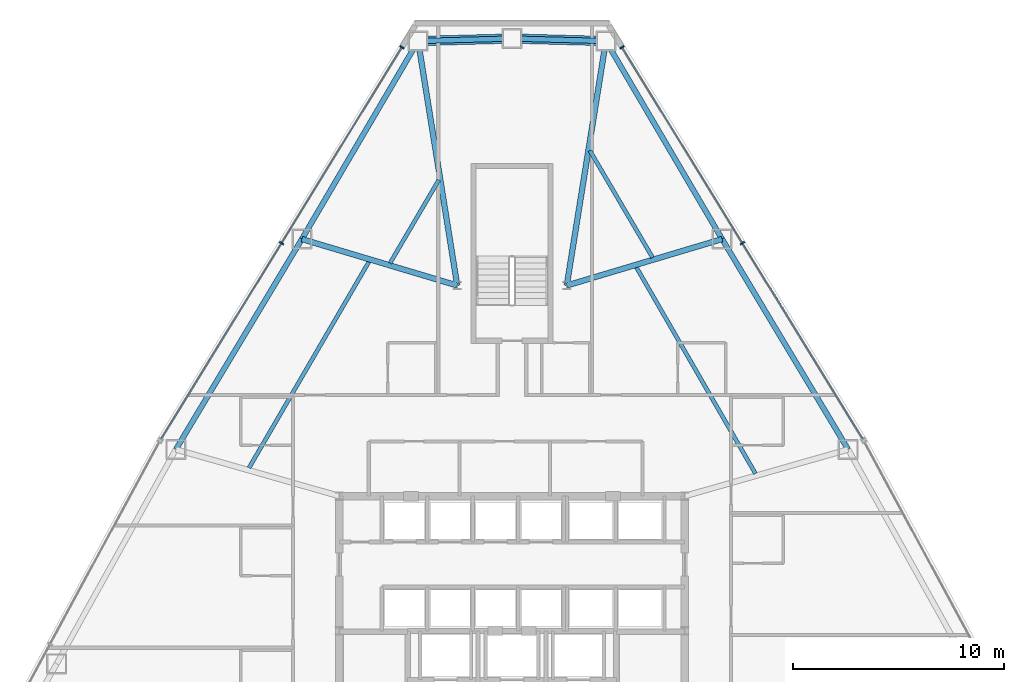
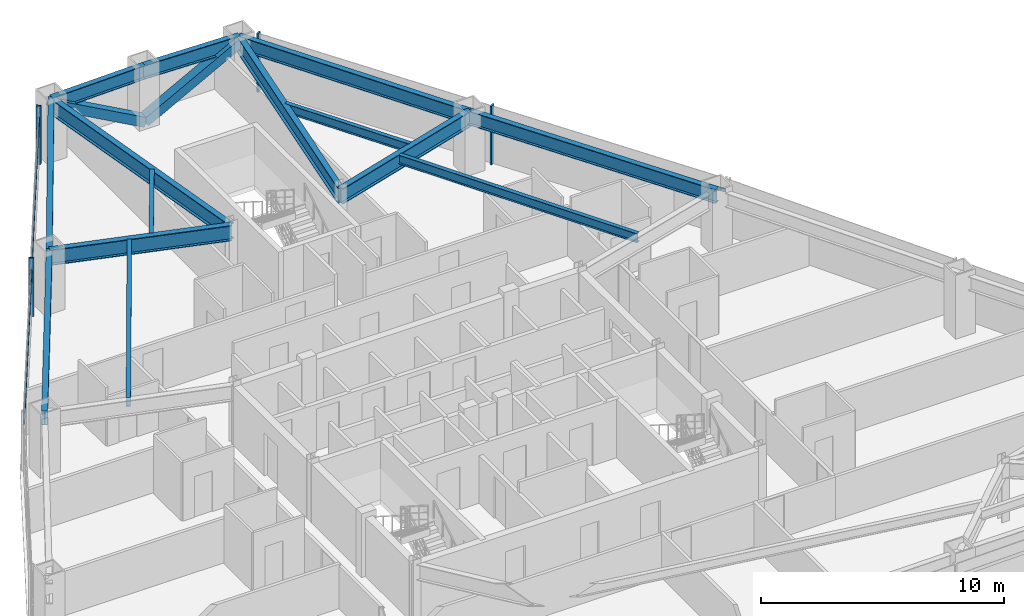
# One storey, part 7 of 13: 14 beams, 8 members, 2 elements without a shape of their own.
"""IFC4 building model written with IfcOpenShell, lengths in metres."""

from ifc_helpers import new_model, si_unit, direction, frame, origin, origin_2d, place, context, subcontext, project, spatial, rectangle, hollow_rectangle, i_section, extrude, source, transform, mapped, material, layer, layer_set, material_profile, profile_set, type_object, type_shapes, element, aggregate, save


model = new_model("IFC4")

# Units and contexts
model_context = context("Model", 3, precision=1e-05, world=origin(), true_north=direction((0.0, 1.0)))
body_context = subcontext(model_context, "Body", "Model", "MODEL_VIEW")
ifc_project = project(units=[si_unit("LENGTHUNIT", "METRE"), si_unit("AREAUNIT", "SQUARE_METRE"), si_unit("VOLUMEUNIT", "CUBIC_METRE"), si_unit("PLANEANGLEUNIT", "RADIAN"), si_unit("MASSUNIT", "GRAM", prefix="KILO")], contexts=[model_context])

# Site, building, storey
site_placement = place(None, origin())
site = spatial("IfcSite", under=ifc_project, at=site_placement, CompositionType="ELEMENT")
building_placement = place(site_placement, origin())
building = spatial("IfcBuilding", under=site, at=building_placement, Name="Varakhsha Concourse Tower", CompositionType="ELEMENT")
storey_placement = place(building_placement, frame((0.0, 0.0, 108.60009765625)))
storey = spatial("IfcBuildingStorey", under=building, at=storey_placement, Name="L31", CompositionType="ELEMENT", Elevation=108.60009765625)

# Beams
ifc_material_1 = material(Name="Structural Steel ASTM A992 Grade 50", Category="steel")
ifc_material_profile_1 = material_profile(ifc_material_1, i_section(OverallWidth=0.26611328125, OverallDepth=0.779052734375, WebThickness=0.01708984375, FlangeThickness=0.030029296875, at=origin_2d()), Name="W30X148")
ifc_profile_set_1 = profile_set([ifc_material_profile_1], Name="Structural Steel ASTM A992 Grade 50")
beam_type_1 = type_object("IfcBeamType", Name="BM-BASE-W30X148", PredefinedType="USERDEFINED", material=ifc_profile_set_1)
for number, where, z_axis, x_axis, name in (
    (1, (42.60009765625, 41.199951171875, 2.55029296875), (0.158084457656, 0.987425594284, 0.0), (-0.987425594284, 0.158084457656, 0.0), "L31 Radial Floor Girder 01"),
    (2, (37.39990234375, 41.199951171875, 2.55029296875), (-0.158084457656, 0.987425594284, 0.0), (-0.987425594284, -0.158084457656, 0.0), "L31 Radial Floor Girder 03"),
):
    element("IfcBeam", number, at=place(storey_placement, frame(where, z_axis=z_axis, x_axis=x_axis)), inside=storey, type_object=beam_type_1, Name=name, ObjectType="GIRDER", PredefinedType="USERDEFINED", context=body_context, shape_type="SweptSolid", body=[
        extrude(i_section(OverallWidth=0.26611328125, OverallDepth=0.779052734375, WebThickness=0.01708984375, FlangeThickness=0.030029296875, at=origin_2d()), origin(), (0.0, 0.0, 1.0), 11.755615234375),
    ])
for number, where, z_axis, x_axis, name in (
    (3, (37.39990234375, 41.199951171875, 2.55029296875), (-0.958150359445, 0.286265416519, 0.0), (-0.286265416519, -0.958150359445, 0.0), "L31 Radial Floor Girder 04"),
    (4, (42.60009765625, 41.199951171875, 2.55029296875), (0.958150359445, 0.286265416519, 0.0), (-0.286265416519, 0.958150359445, 0.0), "L31 Radial Floor Girder 18"),
):
    element("IfcBeam", number, at=place(storey_placement, frame(where, z_axis=z_axis, x_axis=x_axis)), inside=storey, type_object=beam_type_1, Name=name, ObjectType="GIRDER", PredefinedType="USERDEFINED", context=body_context, shape_type="SweptSolid", body=[
        extrude(i_section(OverallWidth=0.26611328125, OverallDepth=0.779052734375, WebThickness=0.01708984375, FlangeThickness=0.030029296875, at=origin_2d()), origin(), (0.0, 0.0, 1.0), 7.69873046875),
    ])
ifc_material_profile_2 = material_profile(ifc_material_1, i_section(OverallWidth=0.19091796875, OverallDepth=0.45703125, WebThickness=0.009033203125, FlangeThickness=0.013916015625, at=origin_2d()), Name="W18X50")
ifc_profile_set_2 = profile_set([ifc_material_profile_2], Name="Structural Steel ASTM A992 Grade 50")
beam_type_2 = type_object("IfcBeamType", Name="BM-JST-W18X50", PredefinedType="JOIST", material=ifc_profile_set_2)
beam_1_placement = place(storey_placement, frame((36.526611328125, 46.212646484375, 2.71142578125), z_axis=(-0.50607121558, -0.862491695474, 0.0), x_axis=(0.862491695474, -0.50607121558, 0.0)))
element("IfcBeam", 5, at=beam_1_placement, inside=storey, type_object=beam_type_2, Name="BM-TJST-L31-03", PredefinedType="JOIST", context=body_context, shape_type="SweptSolid", body=[
    extrude(i_section(OverallWidth=0.19091796875, OverallDepth=0.45703125, WebThickness=0.009033203125, FlangeThickness=0.013916015625, at=origin_2d()), origin(), (0.0, 0.0, 1.0), 4.57763671875),
])
beam_2_placement = place(storey_placement, frame((33.2138671875, 42.339111328125, 2.71142578125), z_axis=(-0.502984798182, -0.864295257882, 0.0), x_axis=(0.864295257882, -0.502984798182, 0.0)))
element("IfcBeam", 6, at=beam_2_placement, inside=storey, type_object=beam_type_2, Name="BM-TJST-L31-04", PredefinedType="JOIST", context=body_context, shape_type="SweptSolid", body=[
    extrude(i_section(OverallWidth=0.19091796875, OverallDepth=0.45703125, WebThickness=0.009033203125, FlangeThickness=0.013916015625, at=origin_2d()), origin(), (0.0, 0.0, 1.0), 11.342529296875),
])
beam_3_placement = place(storey_placement, frame((51.560302734375, 32.27001953125, 2.71142578125), z_axis=(-0.499938383188, 0.866060975345, 0.0), x_axis=(-0.866060975345, -0.499938383188, 0.0)))
element("IfcBeam", 7, at=beam_3_placement, inside=storey, type_object=beam_type_2, Name="BM-TJST-L31-17", PredefinedType="JOIST", context=body_context, shape_type="SweptSolid", body=[
    extrude(i_section(OverallWidth=0.19091796875, OverallDepth=0.45703125, WebThickness=0.009033203125, FlangeThickness=0.013916015625, at=origin_2d()), origin(), (0.0, 0.0, 1.0), 11.32080078125),
])
beam_4_placement = place(storey_placement, frame((46.67529296875, 42.529052734375, 2.71142578125), z_axis=(-0.506102653482, 0.862473248361, 0.0), x_axis=(-0.862473248361, -0.506102653482, 0.0)))
element("IfcBeam", 8, at=beam_4_placement, inside=storey, type_object=beam_type_2, Name="BM-TJST-L31-18", PredefinedType="JOIST", context=body_context, shape_type="SweptSolid", body=[
    extrude(i_section(OverallWidth=0.19091796875, OverallDepth=0.45703125, WebThickness=0.009033203125, FlangeThickness=0.013916015625, at=origin_2d()), origin(), (0.0, 0.0, 1.0), 5.88623046875),
])
ifc_material_profile_3 = material_profile(ifc_material_1, i_section(OverallWidth=0.25390625, OverallDepth=0.701904296875, WebThickness=0.014892578125, FlangeThickness=0.028076171875, at=origin_2d()), Name="W27X129")
ifc_profile_set_3 = profile_set([ifc_material_profile_3], Name="Structural Steel ASTM A992 Grade 50")
beam_type_3 = type_object("IfcBeamType", Name="BM-SPAN-W27X129", PredefinedType="SPANDREL", material=ifc_profile_set_3)
for number, where, z_axis, x_axis, name in (
    (9, (44.45849609375, 52.807861328125, 2.5888671875), (-0.999638755759, 0.026876718272, 0.0), (-0.026876718272, -0.999638755759, 0.0), "BM-SPAN-L31-01"),
    (10, (40.0, 52.927734375, 2.5888671875), (-0.999638755759, -0.026876718272, 0.0), (0.026876718272, -0.999638755759, 0.0), "BM-SPAN-L31-02"),
):
    element("IfcBeam", number, at=place(storey_placement, frame(where, z_axis=z_axis, x_axis=x_axis)), inside=storey, type_object=beam_type_3, Name=name, PredefinedType="SPANDREL", context=body_context, shape_type="SweptSolid", body=[
        extrude(i_section(OverallWidth=0.25390625, OverallDepth=0.701904296875, WebThickness=0.014892578125, FlangeThickness=0.028076171875, at=origin_2d()), origin(), (0.0, 0.0, 1.0), 4.460205078125),
    ])
beam_5_placement = place(storey_placement, frame((35.54150390625, 52.807861328125, 2.5888671875), z_axis=(-0.506084350655, -0.86248398827, 0.0), x_axis=(0.86248398827, -0.506084350655, 0.0)))
element("IfcBeam", 11, at=beam_5_placement, inside=storey, type_object=beam_type_3, Name="BM-SPAN-L31-03", PredefinedType="SPANDREL", context=body_context, shape_type="SweptSolid", body=[
    extrude(i_section(OverallWidth=0.25390625, OverallDepth=0.701904296875, WebThickness=0.014892578125, FlangeThickness=0.028076171875, at=origin_2d()), origin(), (0.0, 0.0, 1.0), 10.903564453125),
])
for number, where, z_axis, x_axis, name in (
    (12, (30.0234375, 43.40380859375, 2.5888671875), (-0.513999251176, -0.857790632841, 0.0), (0.857790632841, -0.513999251176, 0.0), "BM-SPAN-L31-04"),
    (13, (55.961669921875, 33.41552734375, 2.5888671875), (-0.513999251176, 0.857790632841, 0.0), (-0.857790632841, -0.513999251176, 0.0), "BM-SPAN-L31-17"),
):
    element("IfcBeam", number, at=place(storey_placement, frame(where, z_axis=z_axis, x_axis=x_axis)), inside=storey, type_object=beam_type_3, Name=name, PredefinedType="SPANDREL", context=body_context, shape_type="SweptSolid", body=[
        extrude(i_section(OverallWidth=0.25390625, OverallDepth=0.701904296875, WebThickness=0.014892578125, FlangeThickness=0.028076171875, at=origin_2d()), origin(), (0.0, 0.0, 1.0), 11.644287109375),
    ])
beam_6_placement = place(storey_placement, frame((49.9765625, 43.40380859375, 2.5888671875), z_axis=(-0.506084350655, 0.86248398827, 0.0), x_axis=(-0.86248398827, -0.506084350655, 0.0)))
element("IfcBeam", 14, at=beam_6_placement, inside=storey, type_object=beam_type_3, Name="BM-SPAN-L31-18", PredefinedType="SPANDREL", context=body_context, shape_type="SweptSolid", body=[
    extrude(i_section(OverallWidth=0.25390625, OverallDepth=0.701904296875, WebThickness=0.014892578125, FlangeThickness=0.028076171875, at=origin_2d()), origin(), (0.0, 0.0, 1.0), 10.903564453125),
])

# Members
ifc_material_2 = material(Name="Structural Steel ASTM A500 Grade C", Category="steel")
ifc_material_profile_4 = material_profile(ifc_material_2, hollow_rectangle(XDim=0.449951171875, YDim=0.449951171875, WallThickness=0.01904296875, at=origin_2d()), Name="HSS 450x450x19")
ifc_profile_set_4 = profile_set([ifc_material_profile_4], Name="Structural Steel ASTM A500 Grade C")
member_type_1 = type_object("IfcMemberType", Name="MB-TUBE-HSS450", PredefinedType="BRACE", material=ifc_profile_set_4)
shared_shape_1 = source(origin(), body_context, "Body", "SweptSolid", [
    extrude(hollow_rectangle(XDim=0.449951171875, YDim=0.449951171875, WallThickness=0.01904296875, at=origin_2d()), origin(), (0.0, 0.0, 1.0), 5.122802734375),
])
type_shapes(member_type_1, [shared_shape_1])
for number, where, z_axis, x_axis, name in (
    (15, (40.0, 52.927734375, 0.119873046875), (0.87032446505, -0.023399918538, 0.491922523724), (0.026876718272, 0.999638755759, 0.0), "L31 Wind-Corner Tube Brace B01"),
    (16, (40.0, 52.927734375, 0.119873046875), (-0.87032446505, -0.023399918538, 0.491922523724), (0.026876718272, -0.999638755759, 0.0), "L31 Wind-Corner Tube Brace B02"),
):
    element("IfcMember", number, at=place(storey_placement, frame(where, z_axis=z_axis, x_axis=x_axis)), inside=storey, type_object=member_type_1, Name=name, PredefinedType="BRACE", context=body_context, shape_type="MappedRepresentation", body=[
        mapped(shared_shape_1, transform((0.0, 0.0, 0.0), scale=1.0)),
    ])

# Curtain wall, member
ifc_material_3 = material(Name="Anodised Bronze Architectural Aluminium AA 6063-T6", Category="aluminium")
ifc_layer = layer(ifc_material_3, 0.199951171875, Name="CW-SYS-03")
ifc_layer_set = layer_set([ifc_layer], Name="Anodised Bronze Architectural Aluminium AA 6063-T6")
curtain_wall_type = type_object("IfcCurtainWallType", Name="CW-SYS-03", PredefinedType="NOTDEFINED", material=ifc_layer_set)
curtain_wall_1_placement = place(storey_placement, origin())
curtain_wall_1 = element("IfcCurtainWall", 17, at=curtain_wall_1_placement, inside=storey, type_object=curtain_wall_type, Name="L31 Crystal Curtain Wall F2", PredefinedType="NOTDEFINED")
ifc_material_profile_5 = material_profile(ifc_material_3, rectangle(XDim=0.06494140625, YDim=0.159912109375, at=origin_2d()), Name="CWT-160X65")
ifc_profile_set_5 = profile_set([ifc_material_profile_5], Name="Anodised Bronze Architectural Aluminium AA 6063-T6")
member_type_2 = type_object("IfcMemberType", Name="CWT-160X65", PredefinedType="USERDEFINED", material=ifc_profile_set_5)
shared_shape_2 = source(origin(), body_context, "Body", "SweptSolid", [
    extrude(rectangle(XDim=0.06494140625, YDim=0.159912109375, at=origin_2d()), origin(), (0.0, 0.0, 1.0), 21.8427734375),
])
type_shapes(member_type_2, [shared_shape_2])
member_1_placement = place(storey_placement, frame((23.340087890625, 33.906005859375, 2.289794921875), z_axis=(0.523662694099, 0.851925690896, 0.0), x_axis=(-0.851925690896, 0.523662694099, 0.0)))
member_1 = element("IfcMember", 18, at=member_1_placement, type_object=member_type_2, Name="CW-L31-F2 Transom 01", ObjectType="TRANSOM", PredefinedType="USERDEFINED", context=body_context, shape_type="MappedRepresentation", body=[
    mapped(shared_shape_2, transform((0.0, 0.0, 0.0), scale=1.0)),
])

curtain_wall_2_placement = place(storey_placement, origin())
curtain_wall_2 = element("IfcCurtainWall", 19, at=curtain_wall_2_placement, inside=storey, type_object=curtain_wall_type, Name="L31 Crystal Curtain Wall F9", PredefinedType="NOTDEFINED")
member_2_placement = place(storey_placement, frame((45.2216796875, 52.514404296875, 2.289794921875), z_axis=(0.523662694099, -0.851925690896, 0.0), x_axis=(0.851925690896, 0.523662694099, 0.0)))
member_2 = element("IfcMember", 20, at=member_2_placement, type_object=member_type_2, Name="CW-L31-F9 Transom 01", ObjectType="TRANSOM", PredefinedType="USERDEFINED", context=body_context, shape_type="MappedRepresentation", body=[
    mapped(shared_shape_2, transform((0.0, 0.0, 0.0), scale=1.0)),
])

# Member
ifc_material_profile_6 = material_profile(ifc_material_3, rectangle(XDim=0.074951171875, YDim=0.219970703125, at=origin_2d()), Name="CWM-220X75")
ifc_profile_set_6 = profile_set([ifc_material_profile_6], Name="Anodised Bronze Architectural Aluminium AA 6063-T6")
member_type_3 = type_object("IfcMemberType", Name="CWM-220X75", PredefinedType="MULLION", material=ifc_profile_set_6)
shared_shape_3 = source(origin(), body_context, "Body", "SweptSolid", [
    extrude(rectangle(XDim=0.074951171875, YDim=0.219970703125, at=origin_2d()), origin(), (0.0, 0.0, 1.0), 2.93994140625),
])
type_shapes(member_type_3, [shared_shape_3])
member_3_placement = place(storey_placement, frame((29.059326171875, 43.210205078125, 0.0), z_axis=(0.0, 0.0, 1.0), x_axis=(0.523664775253, 0.851924411646, 0.0)))
member_3 = element("IfcMember", 21, at=member_3_placement, type_object=member_type_3, Name="CW-L31-F2 Mullion 01", PredefinedType="MULLION", context=body_context, shape_type="MappedRepresentation", body=[
    mapped(shared_shape_3, transform((0.0, 0.0, 0.0), scale=1.0)),
])

member_4_placement = place(storey_placement, frame((34.7783203125, 52.514404296875, 0.0), z_axis=(0.0, 0.0, 1.0), x_axis=(0.523664775253, 0.851924411646, 0.0)))
member_4 = element("IfcMember", 22, at=member_4_placement, type_object=member_type_3, Name="CW-L31-F2 Mullion 02", PredefinedType="MULLION", context=body_context, shape_type="MappedRepresentation", body=[
    mapped(shared_shape_3, transform((0.0, 0.0, 0.0), scale=1.0)),
])

aggregate(curtain_wall_1, [member_3, member_4, member_1])

member_5_placement = place(storey_placement, frame((45.2216796875, 52.514404296875, 0.0), z_axis=(0.0, 0.0, 1.0), x_axis=(0.523664775253, -0.851924411646, 0.0)))
member_5 = element("IfcMember", 23, at=member_5_placement, type_object=member_type_3, Name="CW-L31-F9 Mullion 00", PredefinedType="MULLION", context=body_context, shape_type="MappedRepresentation", body=[
    mapped(shared_shape_3, transform((0.0, 0.0, 0.0), scale=1.0)),
])

member_6_placement = place(storey_placement, frame((50.94091796875, 43.210205078125, 0.0), z_axis=(0.0, 0.0, 1.0), x_axis=(0.523664775253, -0.851924411646, 0.0)))
member_6 = element("IfcMember", 24, at=member_6_placement, type_object=member_type_3, Name="CW-L31-F9 Mullion 01", PredefinedType="MULLION", context=body_context, shape_type="MappedRepresentation", body=[
    mapped(shared_shape_3, transform((0.0, 0.0, 0.0), scale=1.0)),
])

aggregate(curtain_wall_2, [member_5, member_6, member_2])

save(model, "model.ifc")
